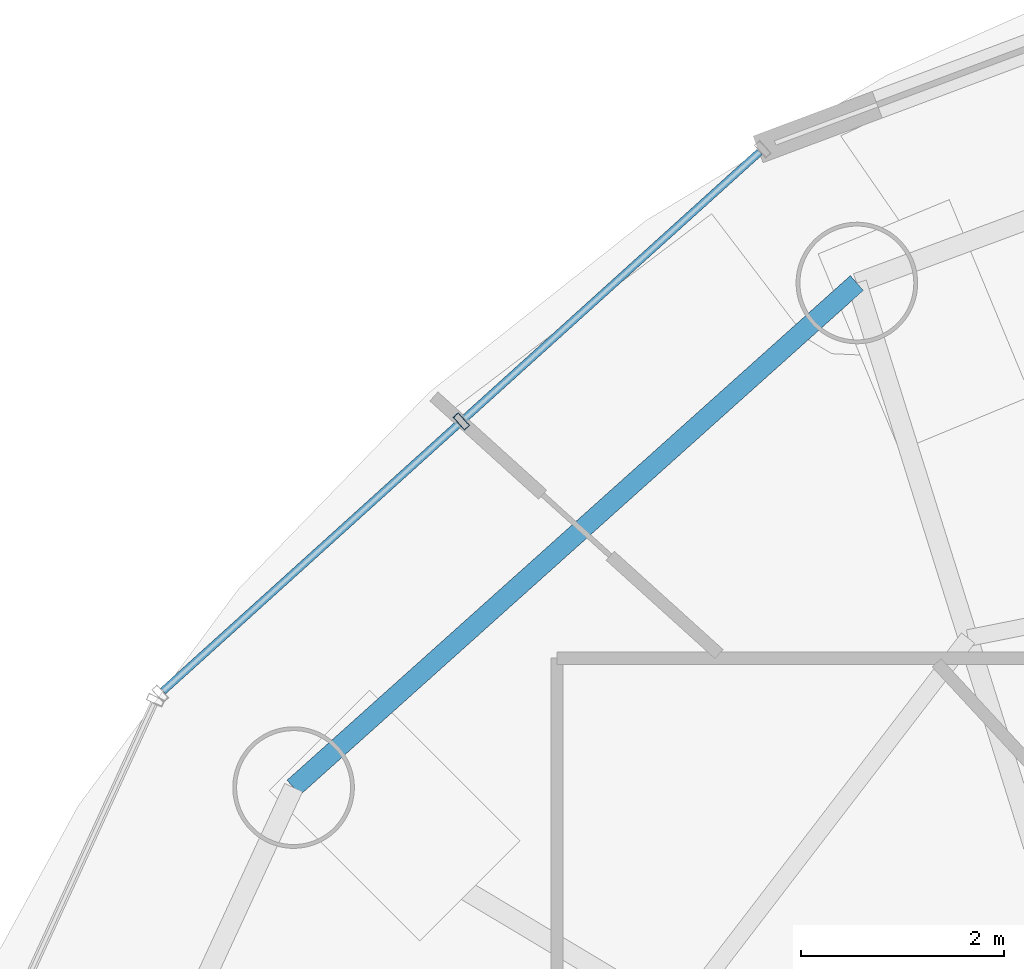
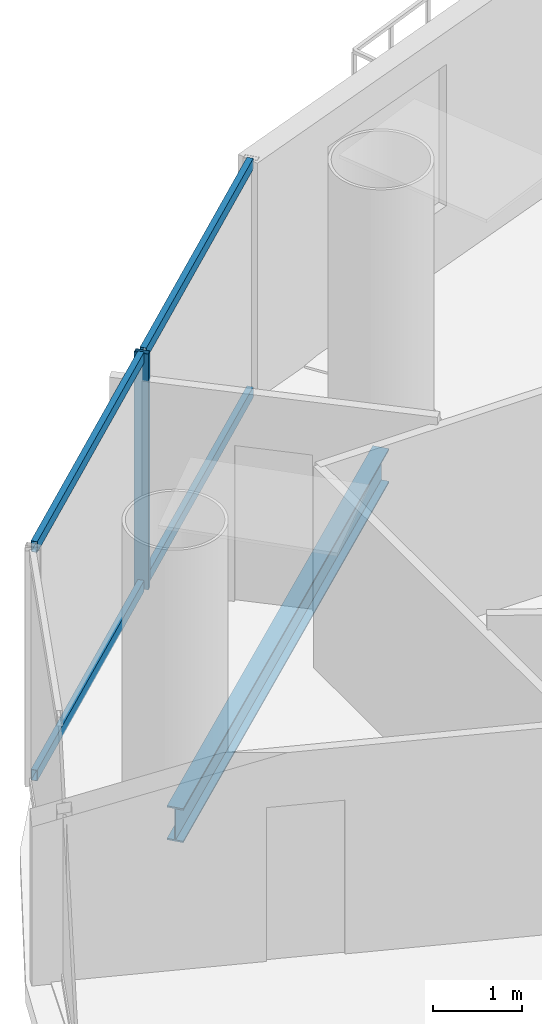
# One storey, part 14 of 26: 5 members, 1 beam, 1 element without a shape of its own.
"""IFC4 building model written with IfcOpenShell, lengths in metres."""

import ifcopenshell
import ifcopenshell.guid

model = None  # the IFC model being written
_history = None  # IfcOwnerHistory: only IFC2X3 demands one
_inside = {}  # id of a spatial element -> (the spatial element, [elements in it])
_under = {}  # id of a project, library or spatial element -> (it, [spatial elements below it])
_declared = {}  # id of a project -> (the project, [libraries it declares])
_typed = {}  # id of a type object -> (the type object, [elements of that type])
_made_of = {}  # id of a material, layer set ... -> (it, [elements and type objects made of it])


def new_model(schema):
    """Start an empty IFC model of exactly this schema.

    Asked for "IFC4X3", IfcOpenShell would pick the latest addendum, in which some entities
    have other attributes; the version numbers below select the first issue.
    IFC2X3 requires an IfcOwnerHistory on every rooted entity: one is made here for all.
    """
    global model, _history
    if schema == "IFC4X3":
        model = ifcopenshell.file(schema_version=(4, 3, 0, 0))
    else:
        model = ifcopenshell.file(schema=schema)
    _inside.clear()
    _under.clear()
    _declared.clear()
    _typed.clear()
    _made_of.clear()
    _history = None
    if model.schema == "IFC2X3":
        org = make("IfcOrganization", Name="unknown")
        user = make(
            "IfcPersonAndOrganization",
            ThePerson=make("IfcPerson", FamilyName="unknown"),
            TheOrganization=org,
        )
        app = make(
            "IfcApplication",
            ApplicationDeveloper=org,
            Version="unknown",
            ApplicationFullName="unknown",
            ApplicationIdentifier="unknown",
        )
        _history = make(
            "IfcOwnerHistory",
            OwningUser=user,
            OwningApplication=app,
            ChangeAction="ADDED",
            CreationDate=0,
        )
    return model


def make(cls, **values):
    """One entity of the class cls with the attributes given. An attribute that is None is left unset."""
    return model.create_entity(
        cls, **{name: value for name, value in values.items() if value is not None}
    )


def rooted(cls, **values):
    """An entity with a GlobalId (a new one), such as an element, a storey or a relation."""
    return make(cls, GlobalId=ifcopenshell.guid.new(), OwnerHistory=_history, **values)


def si_unit(unit_type, name, prefix=None):
    """IfcSIUnit, for example si_unit("LENGTHUNIT", "METRE", prefix="MILLI")."""
    return make("IfcSIUnit", UnitType=unit_type, Prefix=prefix, Name=name)


def assignment(units):
    """IfcUnitAssignment: the units of a project."""
    return None if units is None else make("IfcUnitAssignment", Units=units)


def point(xyz):
    """IfcCartesianPoint."""
    return None if xyz is None else make("IfcCartesianPoint", Coordinates=xyz)


def direction(xyz):
    """IfcDirection."""
    return None if xyz is None else make("IfcDirection", DirectionRatios=xyz)


def frame(location, z_axis=None, x_axis=None):
    """IfcAxis2Placement3D, a coordinate frame: its origin and axes. An axis left out is left unset."""
    return make(
        "IfcAxis2Placement3D",
        Location=point(location),
        Axis=direction(z_axis),
        RefDirection=direction(x_axis),
    )


def frame_2d(location, x_axis=None):
    """IfcAxis2Placement2D, a coordinate frame in the plane: its origin and x axis."""
    return make(
        "IfcAxis2Placement2D", Location=point(location), RefDirection=direction(x_axis)
    )


def origin():
    """The frame at (0, 0, 0) with its axes left unset."""
    return frame((0.0, 0.0, 0.0))


def origin_2d():
    """The frame at (0, 0) in the plane with its x axis left unset."""
    return frame_2d((0.0, 0.0))


def place(relative_to, where):
    """IfcLocalPlacement: puts the frame where relative to a parent placement (None: the world)."""
    return make(
        "IfcLocalPlacement", PlacementRelTo=relative_to, RelativePlacement=where
    )


def context(
    kind, dimensions, precision=None, world=None, true_north=None, identifier=None
):
    """IfcGeometricRepresentationContext, for example the 3D "Model" context."""
    return make(
        "IfcGeometricRepresentationContext",
        ContextIdentifier=identifier,
        ContextType=kind,
        CoordinateSpaceDimension=dimensions,
        Precision=precision,
        WorldCoordinateSystem=world,
        TrueNorth=true_north,
    )


def subcontext(parent, identifier, kind, view, scale=None):
    """IfcGeometricRepresentationSubContext, for example "Body" below "Model"."""
    return make(
        "IfcGeometricRepresentationSubContext",
        ContextIdentifier=identifier,
        ContextType=kind,
        ParentContext=parent,
        TargetScale=scale,
        TargetView=view,
    )


def project(units=None, contexts=None):
    """IfcProject with its units and contexts."""
    return rooted(
        "IfcProject",
        Name="project",
        RepresentationContexts=contexts,
        UnitsInContext=assignment(units),
    )


def spatial(cls, under=None, at=None, **own):
    """A site, building, storey or space (cls), placed at a placement, below another one or the project."""
    s = rooted(cls, ObjectPlacement=at, **own)
    if under is not None:
        _under.setdefault(under.id(), (under, []))[1].append(s)
    return s


def profile(cls, at=None, kind="AREA", **sizes):
    """A parametric profile (cls). Its sizes go by their IFC names, for example OverallWidth=200.0."""
    return make(cls, ProfileType=kind, Position=at, **sizes)


def hollow_rectangle(**sizes):
    """IfcRectangleHollowProfileDef."""
    return profile("IfcRectangleHollowProfileDef", **sizes)


def i_section(**sizes):
    """IfcIShapeProfileDef."""
    return profile("IfcIShapeProfileDef", **sizes)


def extrude(swept, where, along, depth):
    """IfcExtrudedAreaSolid: the profile swept, set in the frame where, extruded along a direction by depth."""
    return make(
        "IfcExtrudedAreaSolid",
        SweptArea=swept,
        Position=where,
        ExtrudedDirection=direction(along),
        Depth=depth,
    )


def shape(context_of_items, identifier, shape_type, items):
    """IfcShapeRepresentation: the items that make up one representation, for example the "Body"."""
    return make(
        "IfcShapeRepresentation",
        ContextOfItems=context_of_items,
        RepresentationIdentifier=identifier,
        RepresentationType=shape_type,
        Items=items,
    )


def source(mapping_origin, context_of_items, identifier, shape_type, items):
    """IfcRepresentationMap: a shape defined once, which mapped items show again and again."""
    return make(
        "IfcRepresentationMap",
        MappingOrigin=mapping_origin,
        MappedRepresentation=shape(context_of_items, identifier, shape_type, items),
    )


def transform(
    local_origin,
    x_axis=None,
    y_axis=None,
    z_axis=None,
    scale=None,
    scale2=None,
    scale3=None,
    uniform=True,
):
    """IfcCartesianTransformationOperator3D, or its non-uniform kind. x_axis, y_axis, z_axis: its Axis1, 2, 3."""
    if uniform:
        return make(
            "IfcCartesianTransformationOperator3D",
            Axis1=direction(x_axis),
            Axis2=direction(y_axis),
            LocalOrigin=point(local_origin),
            Scale=scale,
            Axis3=direction(z_axis),
        )
    return make(
        "IfcCartesianTransformationOperator3DnonUniform",
        Axis1=direction(x_axis),
        Axis2=direction(y_axis),
        LocalOrigin=point(local_origin),
        Scale=scale,
        Axis3=direction(z_axis),
        Scale2=scale2,
        Scale3=scale3,
    )


def mapped(mapping_source, mapping_target):
    """IfcMappedItem: shows the shape of a source again, moved by a transform."""
    return make(
        "IfcMappedItem", MappingSource=mapping_source, MappingTarget=mapping_target
    )


def material(Name=None, Category=None):
    """IfcMaterial."""
    return make("IfcMaterial", Name=Name, Category=Category)


def material_profile(
    of_material, cross_section, Name=None, Category=None, Priority=None
):
    """IfcMaterialProfile: a cross section and its material."""
    return make(
        "IfcMaterialProfile",
        Name=Name,
        Material=of_material,
        Profile=cross_section,
        Priority=Priority,
        Category=Category,
    )


def profile_set(profiles, Name=None, composite=None):
    """IfcMaterialProfileSet."""
    return make(
        "IfcMaterialProfileSet",
        Name=Name,
        MaterialProfiles=profiles,
        CompositeProfile=composite,
    )


def made_of(thing, what):
    """Note that an element or type object is made of a material, layer set ...; save() writes the relation."""
    if what is not None:
        _made_of.setdefault(what.id(), (what, []))[1].append(thing)
    return thing


def type_object(cls, material=None, **own):
    """A type object (cls), such as IfcWallType, which elements share."""
    return made_of(rooted(cls, **own), material)


def element(
    cls,
    number,
    at=None,
    inside=None,
    cuts=None,
    type_object=None,
    material=None,
    context=None,
    identifier="Body",
    shape_type=None,
    held_by="IfcProductDefinitionShape",
    body=None,
    shapes=None,
    **own,
):
    """One element of the class cls, such as IfcWall. Its Tag is "e" and its number.

    at: its placement. inside: the storey or other place that contains it. cuts: it is an
    opening in that element (IfcRelVoidsElement). A single representation is given by context,
    identifier, shape_type and body (its items); several are given by shapes. held_by: the class
    of the entity that holds the representations. save() writes the other relations.
    """
    e = rooted(cls, Tag="e%d" % number, ObjectPlacement=at, **own)
    if body is not None:
        shapes = [shape(context, identifier, shape_type, body)]
    if shapes is not None:
        e.Representation = make(held_by, Representations=shapes)
    if inside is not None:
        _inside.setdefault(inside.id(), (inside, []))[1].append(e)
    if cuts is not None:
        rooted(
            "IfcRelVoidsElement", RelatingBuildingElement=cuts, RelatedOpeningElement=e
        )
    if type_object is not None:
        _typed.setdefault(type_object.id(), (type_object, []))[1].append(e)
    return made_of(e, material)


def aggregate(whole, parts):
    """IfcRelAggregates: a whole, such as a stair, and the parts it consists of."""
    return rooted("IfcRelAggregates", RelatingObject=whole, RelatedObjects=parts)


def save(model, path):
    """Write the relations noted so far, then the file.

    IfcRelAggregates (storeys below a building ...), IfcRelContainedInSpatialStructure (elements
    in a storey), IfcRelDefinesByType, IfcRelAssociatesMaterial and IfcRelDeclares: one each for
    every whole, place, type object, material and project.
    """
    for whole, parts in _under.values():
        aggregate(whole, parts)
    for where, things in _inside.values():
        rooted(
            "IfcRelContainedInSpatialStructure",
            RelatedElements=things,
            RelatingStructure=where,
        )
    for kind, things in _typed.values():
        rooted("IfcRelDefinesByType", RelatedObjects=things, RelatingType=kind)
    for what, things in _made_of.values():
        rooted("IfcRelAssociatesMaterial", RelatedObjects=things, RelatingMaterial=what)
    for by, libraries in _declared.values():
        rooted("IfcRelDeclares", RelatingContext=by, RelatedDefinitions=libraries)
    model.write(path)


model = new_model("IFC4")

# Units and contexts
model_context = context("Model", 3, precision=1e-05, world=origin(), true_north=direction((-0.2419218956, 0.970295726276)))
body_context = subcontext(model_context, "Body", "Model", "MODEL_VIEW")
ifc_project = project(units=[si_unit("LENGTHUNIT", "METRE"), si_unit("AREAUNIT", "SQUARE_METRE"), si_unit("VOLUMEUNIT", "CUBIC_METRE"), si_unit("PLANEANGLEUNIT", "RADIAN"), si_unit("MASSUNIT", "GRAM", prefix="KILO")], contexts=[model_context])

# Site, building, storey
site_placement = place(None, origin())
site = spatial("IfcSite", under=ifc_project, at=site_placement, CompositionType="ELEMENT")
building_placement = place(site_placement, origin())
building = spatial("IfcBuilding", under=site, at=building_placement, Name="Cobrevalo Terracotta Tower", CompositionType="ELEMENT")
storey_placement = place(building_placement, frame((0.0, 0.0, 239.300048828125)))
storey = spatial("IfcBuildingStorey", under=building, at=storey_placement, Name="L63", CompositionType="ELEMENT", Elevation=239.300048828125)

# Beam
ifc_material_1 = material(Name="Steel S355", Category="steel")
ifc_material_profile_1 = material_profile(ifc_material_1, i_section(OverallWidth=0.194091796875, OverallDepth=0.468994140625, WebThickness=0.011474609375, FlangeThickness=0.0205078125, at=origin_2d()), Name="W 460x106")
ifc_profile_set_1 = profile_set([ifc_material_profile_1], Name="Steel S355")
beam_type = type_object("IfcBeamType", Name="Structural Spandrel W 460x106 (Steel S355)", PredefinedType="SPANDREL", material=ifc_profile_set_1)
beam_placement = place(storey_placement, frame((26.80517578125, 41.80810546875, -0.49951171875), z_axis=(-0.744851930997, -0.667229796165, 0.0), x_axis=(0.667229796165, -0.744851930997, 0.0)))
element("IfcBeam", 1, at=beam_placement, inside=storey, type_object=beam_type, Name="L63 perimeter ring spandrel 06", PredefinedType="SPANDREL", context=body_context, shape_type="SweptSolid", body=[
    extrude(i_section(OverallWidth=0.194091796875, OverallDepth=0.468994140625, WebThickness=0.011474609375, FlangeThickness=0.0205078125, at=origin_2d()), origin(), (0.0, 0.0, 1.0), 7.463623046875),
])

# Curtain wall, members
ifc_material_2 = material(Name="Anodized aluminium", Category="aluminium")
curtain_wall_type = type_object("IfcCurtainWallType", Name="Mid-tower high-wind unitised curtain wall CW-U2", PredefinedType="NOTDEFINED", material=ifc_material_2)
curtain_wall_placement = place(storey_placement, origin())
curtain_wall = element("IfcCurtainWall", 2, at=curtain_wall_placement, inside=storey, type_object=curtain_wall_type, Name="L63 curtain wall CW-L63-S06", PredefinedType="NOTDEFINED")
ifc_material_profile_2 = material_profile(ifc_material_2, hollow_rectangle(XDim=0.074951171875, YDim=0.14990234375, WallThickness=0.00439453125, at=origin_2d()), Name="CWT 75x150")
ifc_profile_set_2 = profile_set([ifc_material_profile_2], Name="Anodized aluminium")
member_type_1 = type_object("IfcMemberType", Name="Tower unitised aluminium transom 75x150", PredefinedType="USERDEFINED", material=ifc_profile_set_2)
shared_shape_1 = source(origin(), body_context, "Body", "SweptSolid", [
    extrude(hollow_rectangle(XDim=0.074951171875, YDim=0.14990234375, WallThickness=0.00439453125, at=origin_2d()), origin(), (0.0, 0.0, 1.0), 3.927490234375),
])
member_1_placement = place(storey_placement, frame((22.872314453125, 40.414794921875, 0.050048828125), z_axis=(-0.741975952623, -0.670426495396, 0.0), x_axis=(0.670426495396, -0.741975952623, 0.0)))
member_1 = element("IfcMember", 3, at=member_1_placement, type_object=member_type_1, Name="CW-L63-S06 transom B02-T1", ObjectType="TRANSOM", PredefinedType="USERDEFINED", context=body_context, shape_type="MappedRepresentation", body=[
    mapped(shared_shape_1, transform((0.0, 0.0, 0.0), scale=1.0)),
])
member_2_placement = place(storey_placement, frame((22.872314453125, 40.414794921875, 3.199951171875), z_axis=(-0.741975952623, -0.670426495396, 0.0), x_axis=(0.670426495396, -0.741975952623, 0.0)))
member_2 = element("IfcMember", 4, at=member_2_placement, type_object=member_type_1, Name="CW-L63-S06 transom B02-T2", ObjectType="TRANSOM", PredefinedType="USERDEFINED", context=body_context, shape_type="MappedRepresentation", body=[
    mapped(shared_shape_1, transform((0.0, 0.0, 0.0), scale=1.0)),
])
shared_shape_2 = source(origin(), body_context, "Body", "SweptSolid", [
    extrude(hollow_rectangle(XDim=0.074951171875, YDim=0.14990234375, WallThickness=0.00439453125, at=origin_2d()), origin(), (0.0, 0.0, 1.0), 3.927734375),
])
member_3_placement = place(storey_placement, frame((25.845947265625, 43.101318359375, 0.050048828125), z_axis=(-0.742003891138, -0.670395573923, 0.0), x_axis=(0.670395573923, -0.742003891138, 0.0)))
member_3 = element("IfcMember", 5, at=member_3_placement, type_object=member_type_1, Name="CW-L63-S06 transom B01-T1", ObjectType="TRANSOM", PredefinedType="USERDEFINED", context=body_context, shape_type="MappedRepresentation", body=[
    mapped(shared_shape_2, transform((0.0, 0.0, 0.0), scale=1.0)),
])
member_4_placement = place(storey_placement, frame((25.845947265625, 43.101318359375, 3.199951171875), z_axis=(-0.742003891138, -0.670395573923, 0.0), x_axis=(0.670395573923, -0.742003891138, 0.0)))
member_4 = element("IfcMember", 6, at=member_4_placement, type_object=member_type_1, Name="CW-L63-S06 transom B01-T2", ObjectType="TRANSOM", PredefinedType="USERDEFINED", context=body_context, shape_type="MappedRepresentation", body=[
    mapped(shared_shape_2, transform((0.0, 0.0, 0.0), scale=1.0)),
])
ifc_material_profile_3 = material_profile(ifc_material_2, hollow_rectangle(XDim=0.070068359375, YDim=0.169921875, WallThickness=0.00439453125, at=origin_2d()), Name="CWM 70x170")
ifc_profile_set_3 = profile_set([ifc_material_profile_3], Name="Anodized aluminium")
member_type_2 = type_object("IfcMemberType", Name="Upper tower unitised mullion 70x170", PredefinedType="MULLION", material=ifc_profile_set_3)
shared_shape_3 = source(origin(), body_context, "Body", "SweptSolid", [
    extrude(hollow_rectangle(XDim=0.070068359375, YDim=0.169921875, WallThickness=0.00439453125, at=origin_2d()), origin(), (0.0, 0.0, 1.0), 3.25),
])
member_5_placement = place(storey_placement, frame((22.902099609375, 40.441650390625, 0.0), z_axis=(0.0, 0.0, 1.0), x_axis=(-0.741987542015, -0.670413668935, 0.0)))
member_5 = element("IfcMember", 7, at=member_5_placement, type_object=member_type_2, Name="CW-L63-S06 vertical mullion 02", PredefinedType="MULLION", context=body_context, shape_type="MappedRepresentation", body=[
    mapped(shared_shape_3, transform((0.0, 0.0, 0.0), scale=1.0)),
])
aggregate(curtain_wall, [member_5, member_3, member_4, member_1, member_2])

save(model, "model.ifc")
